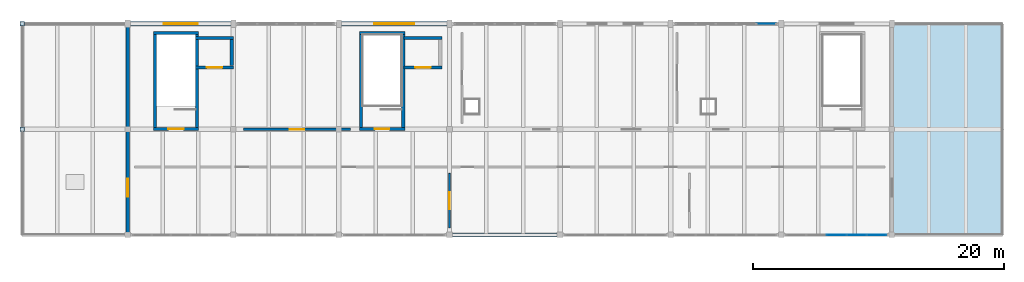
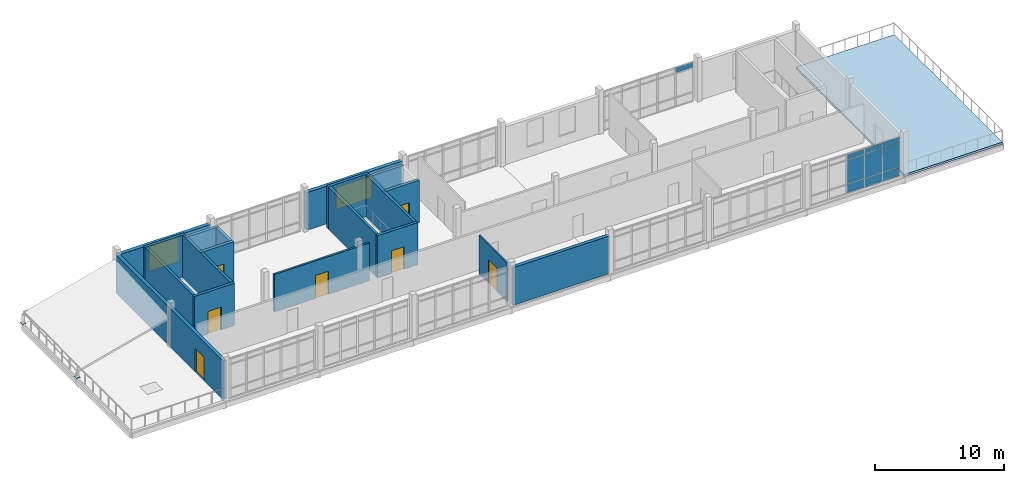
# One storey, part 11 of 13: 20 walls, 12 plates, 7 doors, 2 windows, 1 slab, 9 openings, 2 elements without a shape of their own.
"""IFC4 building model written with IfcOpenShell, lengths in metres."""

from ifc_helpers import new_model, si_unit, direction, frame, frame_2d, origin, origin_2d, place, context, subcontext, project, spatial, polyline, rectangle, outline, extrude, material, layer, layer_set, type_object, element, fill, aggregate, save


model = new_model("IFC4")

# Units and contexts
model_context = context("Model", 3, precision=1e-05, world=origin(), true_north=direction((0.0, 1.0)))
body_context = subcontext(model_context, "Body", "Model", "MODEL_VIEW")
ifc_project = project(units=[si_unit("LENGTHUNIT", "METRE"), si_unit("AREAUNIT", "SQUARE_METRE"), si_unit("VOLUMEUNIT", "CUBIC_METRE"), si_unit("PLANEANGLEUNIT", "RADIAN"), si_unit("MASSUNIT", "GRAM", prefix="KILO")], contexts=[model_context])

# Site, building, storey
site_placement = place(None, origin())
site = spatial("IfcSite", under=ifc_project, at=site_placement, CompositionType="ELEMENT")
building_placement = place(site_placement, origin())
building = spatial("IfcBuilding", under=site, at=building_placement, Name="Cinderway Yard Community Centre", CompositionType="ELEMENT")
storey_placement = place(building_placement, frame((0.0, 0.0, 20.10009765625)))
storey = spatial("IfcBuildingStorey", under=building, at=storey_placement, Name="L05", CompositionType="ELEMENT", Elevation=20.10009765625)

# Curtain wall, plate
ifc_material_1 = material(Name="Aluminium 6063-T6", Category="aluminium")
curtain_wall_type = type_object("IfcCurtainWallType", Name="ENV-CW-TYPE-27", PredefinedType="USERDEFINED", material=ifc_material_1)
curtain_wall_1_placement = place(storey_placement, origin())
curtain_wall_1 = element("IfcCurtainWall", 1, at=curtain_wall_1_placement, inside=storey, type_object=curtain_wall_type, Name="V4 Street Curtain Wall ENV-CW-L05-ST-0194", ObjectType="GLAZED CURTAIN WALL", PredefinedType="USERDEFINED")
ifc_material_2 = material(Name="Laminated Low-E Glass", Category="glass")
ifc_layer_1 = layer(ifc_material_2, 0.028076171875, Name="Laminated Low-E Glass")
ifc_layer_set_1 = layer_set([ifc_layer_1], Name="Laminated Low-E Glass")
plate_type_1 = type_object("IfcPlateType", Name="ENV-CW-PAN-IGU28", PredefinedType="CURTAIN_PANEL", material=ifc_layer_set_1)
plate_1_placement = place(storey_placement, frame((109.200927734375, 115.199951171875, 3.22998046875), z_axis=(0.0, 0.0, 1.0), x_axis=(1.0, 0.0, 0.0)))
plate_1 = element("IfcPlate", 2, at=plate_1_placement, type_object=plate_type_1, Name="CW-27 panel 5.3", PredefinedType="CURTAIN_PANEL", context=body_context, shape_type="SweptSolid", body=[
    extrude(rectangle(XDim=1.51806640625, YDim=0.028076171875, at=origin_2d()), origin(), (0.0, 0.0, 1.0), 0.4599609375),
])
aggregate(curtain_wall_1, [plate_1])

# Curtain wall, plates
curtain_wall_2_placement = place(storey_placement, origin())
curtain_wall_2 = element("IfcCurtainWall", 3, at=curtain_wall_2_placement, inside=storey, type_object=curtain_wall_type, Name="V4 Courtyard Curtain Wall ENV-CW-L05-ST-0196", ObjectType="GLAZED CURTAIN WALL", PredefinedType="USERDEFINED")
plate_2_placement = place(storey_placement, frame((114.800048828125, 98.39990234375, 0.059814453125), z_axis=(0.0, 0.0, 1.0), x_axis=(1.0, 0.0, 0.0)))
plate_2 = element("IfcPlate", 4, at=plate_2_placement, type_object=plate_type_1, Name="CW-27 panel 3.1", PredefinedType="CURTAIN_PANEL", context=body_context, shape_type="SweptSolid", body=[
    extrude(rectangle(XDim=1.548095703125, YDim=0.028076171875, at=origin_2d()), origin(), (0.0, 0.0, 1.0), 0.81005859375),
])
plate_3_placement = place(storey_placement, frame((114.800048828125, 98.39990234375, 0.9296875), z_axis=(0.0, 0.0, 1.0), x_axis=(1.0, 0.0, 0.0)))
plate_3 = element("IfcPlate", 5, at=plate_3_placement, type_object=plate_type_1, Name="CW-27 panel 3.2", PredefinedType="CURTAIN_PANEL", context=body_context, shape_type="SweptSolid", body=[
    extrude(rectangle(XDim=1.548095703125, YDim=0.028076171875, at=origin_2d()), origin(), (0.0, 0.0, 1.0), 2.239990234375),
])
plate_4_placement = place(storey_placement, frame((114.800048828125, 98.39990234375, 3.22998046875), z_axis=(0.0, 0.0, 1.0), x_axis=(1.0, 0.0, 0.0)))
plate_4 = element("IfcPlate", 6, at=plate_4_placement, type_object=plate_type_1, Name="CW-27 panel 3.3", PredefinedType="CURTAIN_PANEL", context=body_context, shape_type="SweptSolid", body=[
    extrude(rectangle(XDim=1.548095703125, YDim=0.028076171875, at=origin_2d()), origin(), (0.0, 0.0, 1.0), 0.4599609375),
])
plate_5_placement = place(storey_placement, frame((116.407958984375, 98.39990234375, 0.059814453125), z_axis=(0.0, 0.0, 1.0), x_axis=(1.0, 0.0, 0.0)))
plate_5 = element("IfcPlate", 7, at=plate_5_placement, type_object=plate_type_1, Name="CW-27 panel 4.1", PredefinedType="CURTAIN_PANEL", context=body_context, shape_type="SweptSolid", body=[
    extrude(rectangle(XDim=1.548095703125, YDim=0.028076171875, at=origin_2d()), origin(), (0.0, 0.0, 1.0), 0.81005859375),
])
plate_6_placement = place(storey_placement, frame((116.407958984375, 98.39990234375, 0.9296875), z_axis=(0.0, 0.0, 1.0), x_axis=(1.0, 0.0, 0.0)))
plate_6 = element("IfcPlate", 8, at=plate_6_placement, type_object=plate_type_1, Name="CW-27 panel 4.2", PredefinedType="CURTAIN_PANEL", context=body_context, shape_type="SweptSolid", body=[
    extrude(rectangle(XDim=1.548095703125, YDim=0.028076171875, at=origin_2d()), origin(), (0.0, 0.0, 1.0), 2.239990234375),
])
plate_7_placement = place(storey_placement, frame((116.407958984375, 98.39990234375, 3.22998046875), z_axis=(0.0, 0.0, 1.0), x_axis=(1.0, 0.0, 0.0)))
plate_7 = element("IfcPlate", 9, at=plate_7_placement, type_object=plate_type_1, Name="CW-27 panel 4.3", PredefinedType="CURTAIN_PANEL", context=body_context, shape_type="SweptSolid", body=[
    extrude(rectangle(XDim=1.548095703125, YDim=0.028076171875, at=origin_2d()), origin(), (0.0, 0.0, 1.0), 0.4599609375),
])
plate_8_placement = place(storey_placement, frame((118.0009765625, 98.39990234375, 0.059814453125), z_axis=(0.0, 0.0, 1.0), x_axis=(1.0, 0.0, 0.0)))
plate_8 = element("IfcPlate", 10, at=plate_8_placement, type_object=plate_type_1, Name="CW-27 panel 5.1", PredefinedType="CURTAIN_PANEL", context=body_context, shape_type="SweptSolid", body=[
    extrude(rectangle(XDim=1.51806640625, YDim=0.028076171875, at=origin_2d()), origin(), (0.0, 0.0, 1.0), 0.81005859375),
])
plate_9_placement = place(storey_placement, frame((118.0009765625, 98.39990234375, 0.9296875), z_axis=(0.0, 0.0, 1.0), x_axis=(1.0, 0.0, 0.0)))
plate_9 = element("IfcPlate", 11, at=plate_9_placement, type_object=plate_type_1, Name="CW-27 panel 5.2", PredefinedType="CURTAIN_PANEL", context=body_context, shape_type="SweptSolid", body=[
    extrude(rectangle(XDim=1.51806640625, YDim=0.028076171875, at=origin_2d()), origin(), (0.0, 0.0, 1.0), 2.239990234375),
])
plate_10_placement = place(storey_placement, frame((118.0009765625, 98.39990234375, 3.22998046875), z_axis=(0.0, 0.0, 1.0), x_axis=(1.0, 0.0, 0.0)))
plate_10 = element("IfcPlate", 12, at=plate_10_placement, type_object=plate_type_1, Name="CW-27 panel 5.3", PredefinedType="CURTAIN_PANEL", context=body_context, shape_type="SweptSolid", body=[
    extrude(rectangle(XDim=1.51806640625, YDim=0.028076171875, at=origin_2d()), origin(), (0.0, 0.0, 1.0), 0.4599609375),
])
aggregate(curtain_wall_2, [plate_2, plate_3, plate_4, plate_5, plate_6, plate_7, plate_8, plate_9, plate_10])

# Plates
ifc_material_3 = material(Name="Steel S355", Category="steel")
ifc_layer_2 = layer(ifc_material_3, 0.02490234375, Name="Steel S355")
ifc_layer_set_2 = layer_set([ifc_layer_2], Name="Steel S355")
plate_type_2 = type_object("IfcPlateType", Name="STR-PLT-CAP340", PredefinedType="SHEET", material=ifc_layer_set_2)
for number, where, z_axis, x_axis, name in (
    (13, (50.0, 106.800048828125, -0.012451171875), (0.0, 0.0, 1.0), (1.0, 0.0, 0.0), "V4 SHARD-W post base 106"),
    (14, (50.0, 115.199951171875, -0.012451171875), (0.0, 0.0, 1.0), (1.0, 0.0, 0.0), "V4 SHARD-W post base 115"),
):
    element("IfcPlate", number, at=place(storey_placement, frame(where, z_axis=z_axis, x_axis=x_axis)), inside=storey, type_object=plate_type_2, Name=name, PredefinedType="SHEET", context=body_context, shape_type="SweptSolid", body=[
        extrude(rectangle(XDim=0.35009765625, YDim=0.35009765625, at=origin_2d()), origin(), (0.0, 0.0, 1.0), 0.02490234375),
    ])

# Slab
ifc_material_4 = material(Name="Concrete C40/50", Category="concrete")
ifc_layer_3 = layer(ifc_material_4, 0.199951171875, Name="Concrete C40/50")
ifc_layer_set_3 = layer_set([ifc_layer_3], Name="Concrete C40/50")
slab_type = type_object("IfcSlabType", Name="STR-SLAB-TER-200", PredefinedType="FLOOR", material=ifc_layer_set_3)
slab_placement = place(storey_placement, frame((0.0, 0.0, -0.2001953125)))
element("IfcSlab", 15, at=slab_placement, inside=storey, type_object=slab_type, Name="V4 East Administration Terrace Slab L05 STR-SLAB-L05-048", PredefinedType="FLOOR", context=body_context, shape_type="SweptSolid", body=[
    extrude(outline(polyline([(119.199951171875, 98.39990234375), (128.0, 98.39990234375), (128.0, 115.199951171875), (119.199951171875, 115.199951171875), (119.199951171875, 98.39990234375)])), origin(), (0.0, 0.0, 1.0), 0.2001953125),
])

# Wall
ifc_material_5 = material(Name="Brick Masonry", Category="masonry")
ifc_layer_4 = layer(ifc_material_5, 0.300048828125, Name="Brick Masonry")
ifc_layer_set_4 = layer_set([ifc_layer_4], Name="Brick Masonry")
wall_type_1 = type_object("IfcWallType", Name="ENV-WAL-EXT300", PredefinedType="SOLIDWALL", material=ifc_layer_set_4)
wall_1_placement = place(storey_placement, frame((84.10009765625, 98.39990234375, 0.0), z_axis=(0.0, 0.0, 1.0), x_axis=(1.0, 0.0, 0.0)))
element("IfcWall", 16, at=wall_1_placement, inside=storey, type_object=wall_type_1, Name="V4 Courtyard Portal Wall ENV-WAL-L05-0190", PredefinedType="SOLIDWALL", context=body_context, shape_type="SweptSolid", body=[
    extrude(rectangle(XDim=8.599853515625, YDim=0.300048828125, at=frame_2d((4.2998046875, 0.0))), origin(), (0.0, 0.0, 1.0), 3.56787109375),
])

# Wall, opening, door
wall_2_placement = place(storey_placement, frame((58.39990234375, 98.5, 0.0), z_axis=(0.0, 0.0, 1.0), x_axis=(0.0, 1.0, 0.0)))
wall_2 = element("IfcWall", 17, at=wall_2_placement, inside=storey, type_object=wall_type_1, Name="V4 West End Wall ENV-WAL-L05-0193", PredefinedType="SOLIDWALL", context=body_context, shape_type="SweptSolid", body=[
    extrude(rectangle(XDim=8.199951171875, YDim=0.300048828125, at=frame_2d((4.10009765625, 0.0))), origin(), (0.0, 0.0, 1.0), 3.64599609375),
])
opening_1_placement = place(wall_2_placement, frame((2.949951171875, 0.0, 0.0)))
opening_1 = element("IfcOpeningElement", 18, at=opening_1_placement, cuts=wall_2, Name="Opening D-TR2", PredefinedType="OPENING", context=body_context, shape_type="SweptSolid", body=[
    extrude(rectangle(XDim=1.39990234375, YDim=2.199951171875, at=frame_2d((0.699951171875, 1.10009765625))), frame((0.0, 0.159912109375, 0.0), z_axis=(0.0, -1.0, 0.0), x_axis=(1.0, 0.0, 0.0)), (0.0, 0.0, 1.0), 0.320068359375),
])
door_type_1 = type_object("IfcDoorType", Name="INT-DOR-TER140", OperationType="DOUBLE_DOOR_SINGLE_SWING", PredefinedType="DOOR", material=ifc_material_1)
door_1_placement = place(opening_1_placement, origin())
door_1 = element("IfcDoor", 19, at=door_1_placement, inside=storey, type_object=door_type_1, Name="Seminar Hall L05 West Terrace Door EXT-DOR-L05-0094", OperationType="DOUBLE_DOOR_SINGLE_SWING", OverallHeight=2.199951171875, OverallWidth=1.39990234375, PredefinedType="DOOR", context=body_context, shape_type="SweptSolid", body=[
    extrude(rectangle(XDim=1.39990234375, YDim=2.199951171875, at=frame_2d((0.699951171875, 1.10009765625))), frame((0.0, 0.02490234375, 0.0), z_axis=(0.0, -1.0, 0.0), x_axis=(1.0, 0.0, 0.0)), (0.0, 0.0, 1.0), 0.050048828125),
])
fill(opening_1, door_1)

# Wall
wall_3_placement = place(storey_placement, frame((58.39990234375, 106.89990234375, 0.0), z_axis=(0.0, 0.0, 1.0), x_axis=(0.0, 1.0, 0.0)))
element("IfcWall", 20, at=wall_3_placement, inside=storey, type_object=wall_type_1, Name="V4 West End Wall ENV-WAL-L05-0194", PredefinedType="SOLIDWALL", context=body_context, shape_type="SweptSolid", body=[
    extrude(rectangle(XDim=8.2001953125, YDim=0.300048828125, at=frame_2d((4.10009765625, 0.0))), origin(), (0.0, 0.0, 1.0), 3.64599609375),
])

# Wall, opening, window
ifc_layer_5 = layer(ifc_material_5, 0.340087890625, Name="Brick Masonry")
ifc_layer_set_5 = layer_set([ifc_layer_5], Name="Brick Masonry")
wall_type_2 = type_object("IfcWallType", Name="ENV-WAL-EXT340", PredefinedType="SOLIDWALL", material=ifc_layer_set_5)
wall_4_placement = place(storey_placement, frame((58.5, 115.199951171875, 0.0), z_axis=(0.0, 0.0, 1.0), x_axis=(1.0, 0.0, 0.0)))
wall_4 = element("IfcWall", 21, at=wall_4_placement, inside=storey, type_object=wall_type_2, Name="V4 Street Brick Facade Wall ENV-WAL-L05-0188", PredefinedType="SOLIDWALL", context=body_context, shape_type="SweptSolid", body=[
    extrude(rectangle(XDim=8.199951171875, YDim=0.340087890625, at=frame_2d((4.10009765625, 0.0))), origin(), (0.0, 0.0, 1.0), 3.56787109375),
])
opening_2_placement = place(wall_4_placement, frame((2.75, 0.0, 0.947998046875)))
opening_2 = element("IfcOpeningElement", 22, at=opening_2_placement, cuts=wall_4, Name="Opening W-26", PredefinedType="OPENING", context=body_context, shape_type="SweptSolid", body=[
    extrude(rectangle(XDim=2.699951171875, YDim=2.39990234375, at=frame_2d((1.35009765625, 1.199951171875))), frame((0.0, 0.179931640625, 0.0), z_axis=(0.0, -1.0, 0.0), x_axis=(1.0, 0.0, 0.0)), (0.0, 0.0, 1.0), 0.360107421875),
])
window_type_1 = type_object("IfcWindowType", Name="ENV-WIN-W26", PartitioningType="TRIPLE_PANEL_VERTICAL", PredefinedType="WINDOW", material=ifc_material_2)
window_1_placement = place(opening_2_placement, origin())
window_1 = element("IfcWindow", 23, at=window_1_placement, inside=storey, type_object=window_type_1, Name="Exterior window ENV-WIN-L05-0109", OverallHeight=2.39990234375, OverallWidth=2.699951171875, PartitioningType="SINGLE_PANEL", PredefinedType="WINDOW", context=body_context, shape_type="SweptSolid", body=[
    extrude(rectangle(XDim=2.699951171875, YDim=2.39990234375, at=frame_2d((1.35009765625, 1.199951171875))), frame((0.0, 0.030029296875, 0.0), z_axis=(0.0, -1.0, 0.0), x_axis=(1.0, 0.0, 0.0)), (0.0, 0.0, 1.0), 0.06005859375),
])
fill(opening_2, window_1)

wall_5_placement = place(storey_placement, frame((75.300048828125, 115.199951171875, 0.0), z_axis=(0.0, 0.0, 1.0), x_axis=(1.0, 0.0, 0.0)))
wall_5 = element("IfcWall", 24, at=wall_5_placement, inside=storey, type_object=wall_type_2, Name="V4 Street Brick Facade Wall ENV-WAL-L05-0189", PredefinedType="SOLIDWALL", context=body_context, shape_type="SweptSolid", body=[
    extrude(rectangle(XDim=8.599853515625, YDim=0.340087890625, at=frame_2d((4.2998046875, 0.0))), origin(), (0.0, 0.0, 1.0), 3.56787109375),
])
opening_3_placement = place(wall_5_placement, frame((2.699951171875, 0.0, 0.949951171875)))
opening_3 = element("IfcOpeningElement", 25, at=opening_3_placement, cuts=wall_5, Name="Opening W-18", PredefinedType="OPENING", context=body_context, shape_type="SweptSolid", body=[
    extrude(rectangle(XDim=3.199951171875, YDim=2.10009765625, at=frame_2d((1.60009765625, 1.050048828125))), frame((0.0, 0.179931640625, 0.0), z_axis=(0.0, -1.0, 0.0), x_axis=(1.0, 0.0, 0.0)), (0.0, 0.0, 1.0), 0.360107421875),
])
window_type_2 = type_object("IfcWindowType", Name="ENV-WIN-W18", PartitioningType="TRIPLE_PANEL_VERTICAL", PredefinedType="WINDOW", material=ifc_material_2)
window_2_placement = place(opening_3_placement, origin())
window_2 = element("IfcWindow", 26, at=window_2_placement, inside=storey, type_object=window_type_2, Name="Exterior window ENV-WIN-L05-0110", OverallHeight=2.10009765625, OverallWidth=3.199951171875, PartitioningType="SINGLE_PANEL", PredefinedType="WINDOW", context=body_context, shape_type="SweptSolid", body=[
    extrude(rectangle(XDim=3.199951171875, YDim=2.10009765625, at=frame_2d((1.60009765625, 1.050048828125))), frame((0.0, 0.030029296875, 0.0), z_axis=(0.0, -1.0, 0.0), x_axis=(1.0, 0.0, 0.0)), (0.0, 0.0, 1.0), 0.06005859375),
])
fill(opening_3, window_2)

# Wall, opening, door
ifc_material_6 = material(Name="Gypsum Board Partition", Category="gypsum")
ifc_layer_6 = layer(ifc_material_6, 0.139892578125, Name="Gypsum Board Partition")
ifc_layer_set_6 = layer_set([ifc_layer_6], Name="Gypsum Board Partition")
wall_type_3 = type_object("IfcWallType", Name="INT-WAL-PRT140", PredefinedType="PARTITIONING", material=ifc_layer_set_6)
wall_6_placement = place(storey_placement, frame((84.0, 98.949951171875, 0.0), z_axis=(0.0, 0.0, 1.0), x_axis=(0.0, 1.0, 0.0)))
wall_6 = element("IfcWall", 27, at=wall_6_placement, inside=storey, type_object=wall_type_3, Name="V4 L05 South Room Partition INT-PRT-L05-0338", PredefinedType="PARTITIONING", context=body_context, shape_type="SweptSolid", body=[
    extrude(rectangle(XDim=4.35009765625, YDim=0.139892578125, at=frame_2d((2.175048828125, 0.0))), origin(), (0.0, 0.0, 1.0), 3.64599609375),
])
opening_4_placement = place(wall_6_placement, frame((1.4951171875, 0.0, 0.0)))
opening_4 = element("IfcOpeningElement", 28, at=opening_4_placement, cuts=wall_6, Name="Opening D-15", PredefinedType="OPENING", context=body_context, shape_type="SweptSolid", body=[
    extrude(rectangle(XDim=1.360107421875, YDim=2.219970703125, at=frame_2d((0.68017578125, 1.10986328125))), frame((0.0, 0.079833984375, 0.0), z_axis=(0.0, -1.0, 0.0), x_axis=(1.0, 0.0, 0.0)), (0.0, 0.0, 1.0), 0.159912109375),
])
ifc_material_7 = material(Name="Hardwood Timber", Category="wood")
door_type_2 = type_object("IfcDoorType", Name="INT-DOR-STU136", OperationType="DOUBLE_DOOR_SINGLE_SWING", PredefinedType="DOOR", material=ifc_material_7)
door_2_placement = place(opening_4_placement, origin())
door_2 = element("IfcDoor", 29, at=door_2_placement, inside=storey, type_object=door_type_2, Name="Room door INT-DOR-L05-0279", OperationType="DOUBLE_DOOR_SINGLE_SWING", OverallHeight=2.219970703125, OverallWidth=1.360107421875, PredefinedType="DOOR", context=body_context, shape_type="SweptSolid", body=[
    extrude(rectangle(XDim=1.360107421875, YDim=2.219970703125, at=frame_2d((0.68017578125, 1.10986328125))), frame((0.0, 0.02490234375, 0.0), z_axis=(0.0, -1.0, 0.0), x_axis=(1.0, 0.0, 0.0)), (0.0, 0.0, 1.0), 0.050048828125),
])
fill(opening_4, door_2)

ifc_layer_7 = layer(ifc_material_5, 0.179931640625, Name="Brick Masonry")
ifc_layer_set_7 = layer_set([ifc_layer_7], Name="Brick Masonry")
wall_type_4 = type_object("IfcWallType", Name="INT-WAL-PRT180", PredefinedType="PARTITIONING", material=ifc_layer_set_7)
wall_7_placement = place(storey_placement, frame((67.60009765625, 106.800048828125, 0.0), z_axis=(0.0, 0.0, 1.0), x_axis=(1.0, 0.0, 0.0)))
wall_7 = element("IfcWall", 30, at=wall_7_placement, inside=storey, type_object=wall_type_4, Name="V4 L05 North Corridor Spine INT-PRT-L05-0336", PredefinedType="PARTITIONING", context=body_context, shape_type="SweptSolid", body=[
    extrude(rectangle(XDim=8.52978515625, YDim=0.179931640625, at=frame_2d((4.264892578125, 0.0))), origin(), (0.0, 0.0, 1.0), 3.56787109375),
])
opening_5_placement = place(wall_7_placement, frame((3.675048828125, 0.0, 0.0)))
opening_5 = element("IfcOpeningElement", 31, at=opening_5_placement, cuts=wall_7, Name="Opening D-11", PredefinedType="OPENING", context=body_context, shape_type="SweptSolid", body=[
    extrude(rectangle(XDim=1.179931640625, YDim=2.179931640625, at=frame_2d((0.58984375, 1.08984375))), frame((0.0, 0.099853515625, 0.0), z_axis=(0.0, -1.0, 0.0), x_axis=(1.0, 0.0, 0.0)), (0.0, 0.0, 1.0), 0.199951171875),
])
ifc_material_8 = material(Name="Painted Galvanised Steel", Category="steel")
door_type_3 = type_object("IfcDoorType", Name="INT-DOR-STR118", OperationType="NOTDEFINED", PredefinedType="DOOR", material=ifc_material_8)
door_3_placement = place(opening_5_placement, origin())
door_3 = element("IfcDoor", 32, at=door_3_placement, inside=storey, type_object=door_type_3, Name="Room door INT-DOR-L05-0275", OperationType="SINGLE_SWING_LEFT", OverallHeight=2.179931640625, OverallWidth=1.179931640625, PredefinedType="DOOR", context=body_context, shape_type="SweptSolid", body=[
    extrude(rectangle(XDim=1.179931640625, YDim=2.179931640625, at=frame_2d((0.58984375, 1.08984375))), frame((0.0, 0.02490234375, 0.0), z_axis=(0.0, -1.0, 0.0), x_axis=(1.0, 0.0, 0.0)), (0.0, 0.0, 1.0), 0.050048828125),
])
fill(opening_5, door_3)

ifc_layer_8 = layer(ifc_material_4, 0.25, Name="Concrete C40/50")
ifc_layer_set_8 = layer_set([ifc_layer_8], Name="Concrete C40/50")
wall_type_5 = type_object("IfcWallType", Name="INT-WAL-SHR250", PredefinedType="SHEAR", material=ifc_layer_set_8)
wall_8_placement = place(storey_placement, frame((64.044921875, 106.830078125, 0.0), z_axis=(0.0, 0.0, 1.0), x_axis=(-1.0, 0.0, 0.0)))
wall_8 = element("IfcWall", 33, at=wall_8_placement, inside=storey, type_object=wall_type_5, Name="Stair ST-01 Entry Wall INT-WAL-L05-0021", PredefinedType="SHEAR", context=body_context, shape_type="SweptSolid", body=[
    extrude(rectangle(XDim=3.60986328125, YDim=0.25, at=frame_2d((1.804931640625, 0.0))), origin(), (0.0, 0.0, 1.0), 4.0),
])
opening_6_placement = place(wall_8_placement, frame((1.205078125, 0.0, 0.0)))
opening_6 = element("IfcOpeningElement", 34, at=opening_6_placement, cuts=wall_8, Name="Opening D-ST1", PredefinedType="OPENING", context=body_context, shape_type="SweptSolid", body=[
    extrude(rectangle(XDim=1.199951171875, YDim=2.14990234375, at=frame_2d((0.60009765625, 1.074951171875))), frame((0.0, 0.135009765625, 0.0), z_axis=(0.0, -1.0, 0.0), x_axis=(1.0, 0.0, 0.0)), (0.0, 0.0, 1.0), 0.27001953125),
])
door_type_4 = type_object("IfcDoorType", Name="INT-DOR-ST120", OperationType="NOTDEFINED", PredefinedType="DOOR", material=ifc_material_8)
door_4_placement = place(opening_6_placement, origin())
door_4 = element("IfcDoor", 35, at=door_4_placement, inside=storey, type_object=door_type_4, Name="Core door INT-DOR-L05-0006", OperationType="SINGLE_SWING_RIGHT", OverallHeight=2.14990234375, OverallWidth=1.199951171875, PredefinedType="DOOR", context=body_context, shape_type="SweptSolid", body=[
    extrude(rectangle(XDim=1.199951171875, YDim=2.14990234375, at=frame_2d((0.60009765625, 1.074951171875))), frame((0.0, 0.02490234375, 0.0), z_axis=(0.0, -1.0, 0.0), x_axis=(1.0, 0.0, 0.0)), (0.0, 0.0, 1.0), 0.050048828125),
])
fill(opening_6, door_4)

# Walls
wall_9_placement = place(storey_placement, frame((60.43505859375, 114.469970703125, 0.0), z_axis=(0.0, 0.0, 1.0), x_axis=(1.0, 0.0, 0.0)))
element("IfcWall", 36, at=wall_9_placement, inside=storey, type_object=wall_type_5, Name="Stair ST-01 Back Wall INT-WAL-L05-0022", PredefinedType="SHEAR", context=body_context, shape_type="SweptSolid", body=[
    extrude(rectangle(XDim=3.60986328125, YDim=0.25, at=frame_2d((1.804931640625, 0.0))), origin(), (0.0, 0.0, 1.0), 4.0),
])
for number, where, z_axis, x_axis, name in (
    (37, (60.56005859375, 106.955078125, 0.0), (0.0, 0.0, 1.0), (0.0, 1.0, 0.0), "Stair ST-01 Side Wall L INT-WAL-L05-0023"),
    (38, (63.919921875, 114.344970703125, 0.0), (0.0, 0.0, 1.0), (0.0, -1.0, 0.0), "Stair ST-01 Side Wall R INT-WAL-L05-0024"),
):
    element("IfcWall", number, at=place(storey_placement, frame(where, z_axis=z_axis, x_axis=x_axis)), inside=storey, type_object=wall_type_5, Name=name, PredefinedType="SHEAR", context=body_context, shape_type="SweptSolid", body=[
        extrude(rectangle(XDim=7.389892578125, YDim=0.25, at=frame_2d((3.69482421875, 0.0))), origin(), (0.0, 0.0, 1.0), 4.0),
    ])

# Wall, opening, door
wall_10_placement = place(storey_placement, frame((63.800048828125, 111.72998046875, 0.0), z_axis=(0.0, 0.0, 1.0), x_axis=(1.0, 0.0, 0.0)))
wall_10 = element("IfcWall", 39, at=wall_10_placement, inside=storey, type_object=wall_type_5, Name="Lift LF-01 South Wall INT-WAL-L05-0040", PredefinedType="SHEAR", context=body_context, shape_type="SweptSolid", body=[
    extrude(rectangle(XDim=3.0, YDim=0.25, at=frame_2d((1.5, 0.0))), origin(), (0.0, 0.0, 1.0), 4.0),
])
opening_7_placement = place(wall_10_placement, frame((0.889892578125, 0.0, 0.0)))
opening_7 = element("IfcOpeningElement", 40, at=opening_7_placement, cuts=wall_10, Name="Opening LD-02", PredefinedType="OPENING", context=body_context, shape_type="SweptSolid", body=[
    extrude(rectangle(XDim=1.219970703125, YDim=2.179931640625, at=frame_2d((0.60986328125, 1.08984375))), frame((0.0, 0.135009765625, 0.0), z_axis=(0.0, -1.0, 0.0), x_axis=(1.0, 0.0, 0.0)), (0.0, 0.0, 1.0), 0.27001953125),
])
door_type_5 = type_object("IfcDoorType", Name="INT-DOR-LD02", OperationType="SLIDING_TO_RIGHT", PredefinedType="DOOR", material=ifc_material_8)
door_5_placement = place(opening_7_placement, origin())
door_5 = element("IfcDoor", 41, at=door_5_placement, inside=storey, type_object=door_type_5, Name="Lift landing door INT-DOR-L05-0012", OperationType="SLIDING_TO_RIGHT", OverallHeight=2.179931640625, OverallWidth=1.219970703125, PredefinedType="DOOR", context=body_context, shape_type="SweptSolid", body=[
    extrude(rectangle(XDim=1.219970703125, YDim=2.179931640625, at=frame_2d((0.60986328125, 1.08984375))), frame((0.0, 0.02490234375, 0.0), z_axis=(0.0, -1.0, 0.0), x_axis=(1.0, 0.0, 0.0)), (0.0, 0.0, 1.0), 0.050048828125),
])
fill(opening_7, door_5)

# Walls
wall_11_placement = place(storey_placement, frame((66.800048828125, 114.070068359375, 0.0), z_axis=(0.0, 0.0, 1.0), x_axis=(-1.0, 0.0, 0.0)))
element("IfcWall", 42, at=wall_11_placement, inside=storey, type_object=wall_type_5, Name="Lift LF-01 North Wall INT-WAL-L05-0041", PredefinedType="SHEAR", context=body_context, shape_type="SweptSolid", body=[
    extrude(rectangle(XDim=3.0, YDim=0.25, at=frame_2d((1.5, 0.0))), origin(), (0.0, 0.0, 1.0), 4.0),
])
wall_12_placement = place(storey_placement, frame((66.669921875, 111.860107421875, 0.0), z_axis=(0.0, 0.0, 1.0), x_axis=(0.0, 1.0, 0.0)))
element("IfcWall", 43, at=wall_12_placement, inside=storey, type_object=wall_type_5, Name="Lift LF-01 East Wall INT-WAL-L05-0042", PredefinedType="SHEAR", context=body_context, shape_type="SweptSolid", body=[
    extrude(rectangle(XDim=2.079833984375, YDim=0.25, at=frame_2d((1.0400390625, 0.0))), origin(), (0.0, 0.0, 1.0), 4.0),
])

# Wall, opening, door
wall_13_placement = place(storey_placement, frame((80.445068359375, 106.830078125, 0.0), z_axis=(0.0, 0.0, 1.0), x_axis=(-1.0, 0.0, 0.0)))
wall_13 = element("IfcWall", 44, at=wall_13_placement, inside=storey, type_object=wall_type_5, Name="Stair ST-02 Entry Wall INT-WAL-L05-0063", PredefinedType="SHEAR", context=body_context, shape_type="SweptSolid", body=[
    extrude(rectangle(XDim=3.610107421875, YDim=0.25, at=frame_2d((1.80517578125, 0.0))), origin(), (0.0, 0.0, 1.0), 4.0),
])
opening_8_placement = place(wall_13_placement, frame((1.235107421875, 0.0, 0.0)))
opening_8 = element("IfcOpeningElement", 45, at=opening_8_placement, cuts=wall_13, Name="Opening D-ST2", PredefinedType="OPENING", context=body_context, shape_type="SweptSolid", body=[
    extrude(rectangle(XDim=1.139892578125, YDim=2.14990234375, at=frame_2d((0.56982421875, 1.074951171875))), frame((0.0, 0.135009765625, 0.0), z_axis=(0.0, -1.0, 0.0), x_axis=(1.0, 0.0, 0.0)), (0.0, 0.0, 1.0), 0.27001953125),
])
door_type_6 = type_object("IfcDoorType", Name="INT-DOR-ST114", OperationType="NOTDEFINED", PredefinedType="DOOR", material=ifc_material_8)
door_6_placement = place(opening_8_placement, origin())
door_6 = element("IfcDoor", 46, at=door_6_placement, inside=storey, type_object=door_type_6, Name="Core door INT-DOR-L05-0018", OperationType="SINGLE_SWING_RIGHT", OverallHeight=2.14990234375, OverallWidth=1.139892578125, PredefinedType="DOOR", context=body_context, shape_type="SweptSolid", body=[
    extrude(rectangle(XDim=1.139892578125, YDim=2.14990234375, at=frame_2d((0.56982421875, 1.074951171875))), frame((0.0, 0.02490234375, 0.0), z_axis=(0.0, -1.0, 0.0), x_axis=(1.0, 0.0, 0.0)), (0.0, 0.0, 1.0), 0.050048828125),
])
fill(opening_8, door_6)

# Walls
wall_14_placement = place(storey_placement, frame((76.8349609375, 114.469970703125, 0.0), z_axis=(0.0, 0.0, 1.0), x_axis=(1.0, 0.0, 0.0)))
element("IfcWall", 47, at=wall_14_placement, inside=storey, type_object=wall_type_5, Name="Stair ST-02 Back Wall INT-WAL-L05-0064", PredefinedType="SHEAR", context=body_context, shape_type="SweptSolid", body=[
    extrude(rectangle(XDim=3.610107421875, YDim=0.25, at=frame_2d((1.80517578125, 0.0))), origin(), (0.0, 0.0, 1.0), 4.0),
])
for number, where, z_axis, x_axis, name in (
    (48, (76.9599609375, 106.955078125, 0.0), (0.0, 0.0, 1.0), (0.0, 1.0, 0.0), "Stair ST-02 Side Wall L INT-WAL-L05-0065"),
    (49, (80.320068359375, 114.344970703125, 0.0), (0.0, 0.0, 1.0), (0.0, -1.0, 0.0), "Stair ST-02 Side Wall R INT-WAL-L05-0066"),
):
    element("IfcWall", number, at=place(storey_placement, frame(where, z_axis=z_axis, x_axis=x_axis)), inside=storey, type_object=wall_type_5, Name=name, PredefinedType="SHEAR", context=body_context, shape_type="SweptSolid", body=[
        extrude(rectangle(XDim=7.389892578125, YDim=0.25, at=frame_2d((3.69482421875, 0.0))), origin(), (0.0, 0.0, 1.0), 4.0),
    ])

# Wall, opening, door
wall_15_placement = place(storey_placement, frame((80.39990234375, 111.72998046875, 0.0), z_axis=(0.0, 0.0, 1.0), x_axis=(1.0, 0.0, 0.0)))
wall_15 = element("IfcWall", 50, at=wall_15_placement, inside=storey, type_object=wall_type_5, Name="Lift LF-02 South Wall INT-WAL-L05-0082", PredefinedType="SHEAR", context=body_context, shape_type="SweptSolid", body=[
    extrude(rectangle(XDim=3.0, YDim=0.25, at=frame_2d((1.5, 0.0))), origin(), (0.0, 0.0, 1.0), 4.0),
])
opening_9_placement = place(wall_15_placement, frame((0.889892578125, 0.0, 0.0)))
opening_9 = element("IfcOpeningElement", 51, at=opening_9_placement, cuts=wall_15, Name="Opening LD-02", PredefinedType="OPENING", context=body_context, shape_type="SweptSolid", body=[
    extrude(rectangle(XDim=1.219970703125, YDim=2.179931640625, at=frame_2d((0.60986328125, 1.08984375))), frame((0.0, 0.135009765625, 0.0), z_axis=(0.0, -1.0, 0.0), x_axis=(1.0, 0.0, 0.0)), (0.0, 0.0, 1.0), 0.27001953125),
])
door_7_placement = place(opening_9_placement, origin())
door_7 = element("IfcDoor", 52, at=door_7_placement, inside=storey, type_object=door_type_5, Name="Lift landing door INT-DOR-L05-0024", OperationType="SLIDING_TO_RIGHT", OverallHeight=2.179931640625, OverallWidth=1.219970703125, PredefinedType="DOOR", context=body_context, shape_type="SweptSolid", body=[
    extrude(rectangle(XDim=1.219970703125, YDim=2.179931640625, at=frame_2d((0.60986328125, 1.08984375))), frame((0.0, 0.02490234375, 0.0), z_axis=(0.0, -1.0, 0.0), x_axis=(1.0, 0.0, 0.0)), (0.0, 0.0, 1.0), 0.050048828125),
])
fill(opening_9, door_7)

# Wall
wall_16_placement = place(storey_placement, frame((83.39990234375, 114.070068359375, 0.0), z_axis=(0.0, 0.0, 1.0), x_axis=(-1.0, 0.0, 0.0)))
element("IfcWall", 53, at=wall_16_placement, inside=storey, type_object=wall_type_5, Name="Lift LF-02 North Wall INT-WAL-L05-0083", PredefinedType="SHEAR", context=body_context, shape_type="SweptSolid", body=[
    extrude(rectangle(XDim=3.0, YDim=0.25, at=frame_2d((1.5, 0.0))), origin(), (0.0, 0.0, 1.0), 4.0),
])

save(model, "model.ifc")
